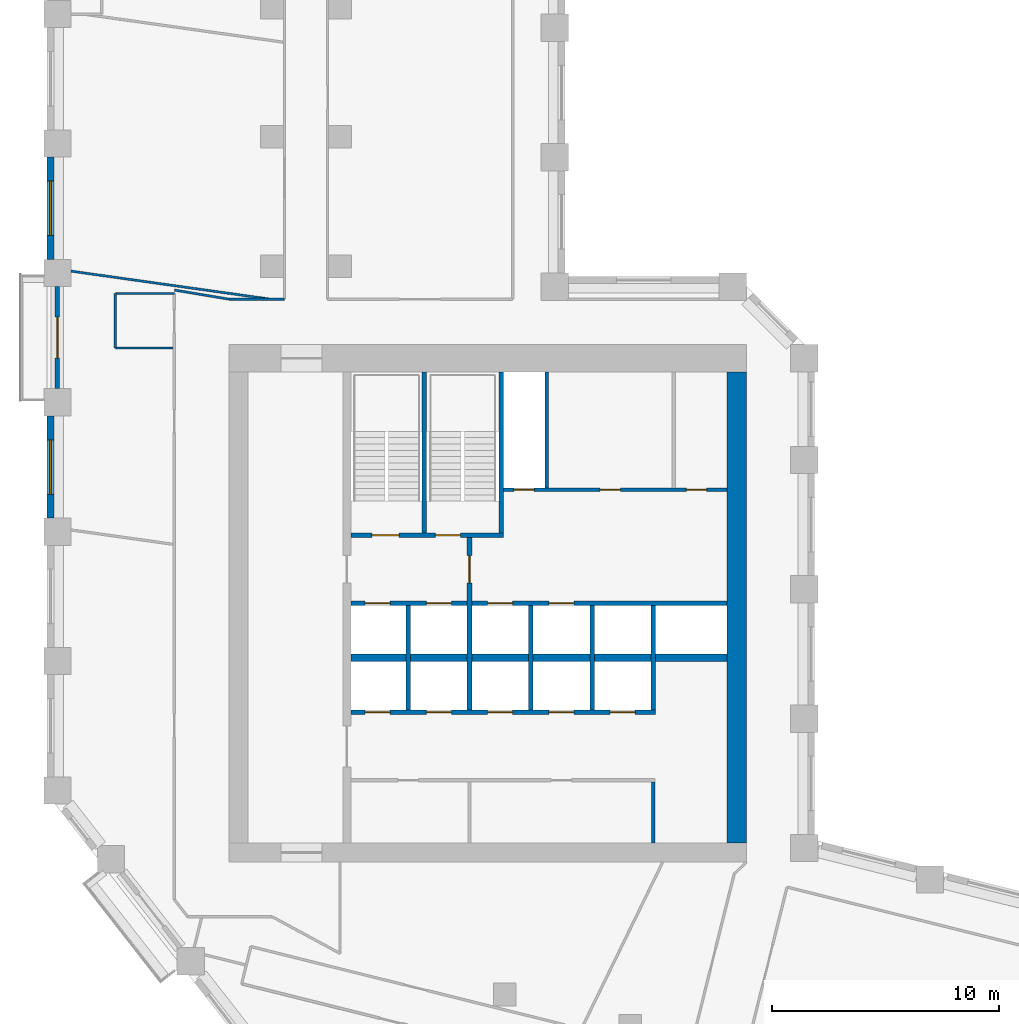
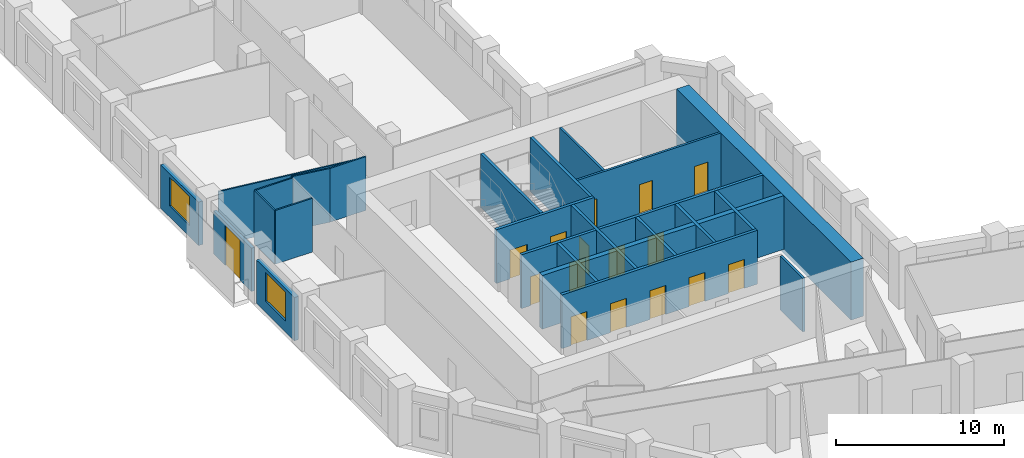
# One storey, part 5 of 10: 24 walls, 16 doors, 2 windows, 18 openings.
"""IFC4 building model written with IfcOpenShell, lengths in metres."""

from ifc_helpers import new_model, si_unit, direction, frame, frame_2d, origin, place, context, subcontext, project, spatial, rectangle, extrude, material, layer, layer_set, type_object, element, fill, save


model = new_model("IFC4")

# Units and contexts
model_context = context("Model", 3, precision=1e-05, world=origin(), true_north=direction((0.0, 1.0)))
body_context = subcontext(model_context, "Body", "Model", "MODEL_VIEW")
ifc_project = project(units=[si_unit("LENGTHUNIT", "METRE"), si_unit("AREAUNIT", "SQUARE_METRE"), si_unit("VOLUMEUNIT", "CUBIC_METRE"), si_unit("PLANEANGLEUNIT", "RADIAN"), si_unit("MASSUNIT", "GRAM", prefix="KILO")], contexts=[model_context])

# Site, building, storey
site_placement = place(None, origin())
site = spatial("IfcSite", under=ifc_project, at=site_placement, CompositionType="ELEMENT")
building_placement = place(site_placement, origin())
building = spatial("IfcBuilding", under=site, at=building_placement, Name="Meshkara Civic Tower", CompositionType="ELEMENT")
storey_placement = place(building_placement, frame((0.0, 0.0, 186.60009765625)))
storey = spatial("IfcBuildingStorey", under=building, at=storey_placement, Name="L42", CompositionType="ELEMENT", Elevation=186.60009765625)

# Wall, openings, doors
ifc_material_1 = material(Name="Blockwork", Category="masonry")
ifc_layer_1 = layer(ifc_material_1, 0.14990234375)
ifc_layer_set_1 = layer_set([ifc_layer_1], Name="Core partition 150")
wall_type_1 = type_object("IfcWallType", Name="Core partition 150", PredefinedType="PARTITIONING", material=ifc_layer_set_1)
wall_1_placement = place(storey_placement, frame((20.10009765625, 30.5, 0.0), z_axis=(0.0, 0.0, 1.0), x_axis=(1.0, 0.0, 0.0)))
wall_1 = element("IfcWall", 1, at=wall_1_placement, inside=storey, type_object=wall_type_1, Name="L42-C010", PredefinedType="PARTITIONING", context=body_context, shape_type="SweptSolid", body=[
    extrude(rectangle(XDim=9.849853515625, YDim=0.14990234375, at=frame_2d((4.9248046875, 0.0))), origin(), (0.0, 0.0, 1.0), 3.89990234375),
])
opening_1_placement = place(wall_1_placement, frame((0.449951171875, 0.0, 0.0)))
opening_1 = element("IfcOpeningElement", 2, at=opening_1_placement, cuts=wall_1, Name="Opening L42-K012", PredefinedType="OPENING", context=body_context, shape_type="SweptSolid", body=[
    extrude(rectangle(XDim=0.89990234375, YDim=2.10009765625, at=frame_2d((0.449951171875, 1.050048828125))), frame((0.0, 0.0849609375, 0.0), z_axis=(0.0, -1.0, 0.0), x_axis=(1.0, 0.0, 0.0)), (0.0, 0.0, 1.0), 0.169921875),
])
opening_2_placement = place(wall_1_placement, frame((4.25, 0.0, 0.0)))
opening_2 = element("IfcOpeningElement", 3, at=opening_2_placement, cuts=wall_1, Name="Opening L42-K013", PredefinedType="OPENING", context=body_context, shape_type="SweptSolid", body=[
    extrude(rectangle(XDim=0.89990234375, YDim=2.10009765625, at=frame_2d((0.449951171875, 1.050048828125))), frame((0.0, 0.0849609375, 0.0), z_axis=(0.0, -1.0, 0.0), x_axis=(1.0, 0.0, 0.0)), (0.0, 0.0, 1.0), 0.169921875),
])
opening_3_placement = place(wall_1_placement, frame((8.050048828125, 0.0, 0.0)))
opening_3 = element("IfcOpeningElement", 4, at=opening_3_placement, cuts=wall_1, Name="Opening L42-K014", PredefinedType="OPENING", context=body_context, shape_type="SweptSolid", body=[
    extrude(rectangle(XDim=0.89990234375, YDim=2.10009765625, at=frame_2d((0.449951171875, 1.050048828125))), frame((0.0, 0.0849609375, 0.0), z_axis=(0.0, -1.0, 0.0), x_axis=(1.0, 0.0, 0.0)), (0.0, 0.0, 1.0), 0.169921875),
])
ifc_material_2 = material(Name="Timber door leaf in steel frame", Category="steel")
door_type_1 = type_object("IfcDoorType", Name="Core room door 900", OperationType="SINGLE_SWING_LEFT", PredefinedType="DOOR", material=ifc_material_2)
door_1_placement = place(opening_2_placement, origin())
door_1 = element("IfcDoor", 5, at=door_1_placement, inside=storey, type_object=door_type_1, Name="L42-K013", OperationType="SINGLE_SWING_RIGHT", OverallHeight=2.10009765625, OverallWidth=0.89990234375, PredefinedType="DOOR", context=body_context, shape_type="SweptSolid", body=[
    extrude(rectangle(XDim=0.89990234375, YDim=2.10009765625, at=frame_2d((0.449951171875, 1.050048828125))), frame((0.0, 0.02490234375, 0.0), z_axis=(0.0, -1.0, 0.0), x_axis=(1.0, 0.0, 0.0)), (0.0, 0.0, 1.0), 0.050048828125),
])
fill(opening_2, door_1)
door_2_placement = place(opening_3_placement, origin())
door_2 = element("IfcDoor", 6, at=door_2_placement, inside=storey, type_object=door_type_1, Name="L42-K014", OperationType="SINGLE_SWING_RIGHT", OverallHeight=2.10009765625, OverallWidth=0.89990234375, PredefinedType="DOOR", context=body_context, shape_type="SweptSolid", body=[
    extrude(rectangle(XDim=0.89990234375, YDim=2.10009765625, at=frame_2d((0.449951171875, 1.050048828125))), frame((0.0, 0.02490234375, 0.0), z_axis=(0.0, -1.0, 0.0), x_axis=(1.0, 0.0, 0.0)), (0.0, 0.0, 1.0), 0.050048828125),
])
fill(opening_3, door_2)
ifc_material_3 = material(Name="Fire-rated door leaf in steel frame", Category="steel")
door_type_2 = type_object("IfcDoorType", Name="Riser door 900", OperationType="SINGLE_SWING_LEFT", PredefinedType="DOOR", material=ifc_material_3)
door_3_placement = place(opening_1_placement, origin())
door_3 = element("IfcDoor", 7, at=door_3_placement, inside=storey, type_object=door_type_2, Name="L42-K012", OperationType="SINGLE_SWING_RIGHT", OverallHeight=2.10009765625, OverallWidth=0.89990234375, PredefinedType="DOOR", context=body_context, shape_type="SweptSolid", body=[
    extrude(rectangle(XDim=0.89990234375, YDim=2.10009765625, at=frame_2d((0.449951171875, 1.050048828125))), frame((0.0, 0.02490234375, 0.0), z_axis=(0.0, -1.0, 0.0), x_axis=(1.0, 0.0, 0.0)), (0.0, 0.0, 1.0), 0.050048828125),
])
fill(opening_1, door_3)

# Walls
wall_2_placement = place(storey_placement, frame((22.0, 30.574951171875, 0.0), z_axis=(0.0, 0.0, 1.0), x_axis=(0.0, 1.0, 0.0)))
element("IfcWall", 8, at=wall_2_placement, inside=storey, type_object=wall_type_1, Name="L42-C018", PredefinedType="PARTITIONING", context=body_context, shape_type="SweptSolid", body=[
    extrude(rectangle(XDim=5.125, YDim=0.14990234375, at=frame_2d((2.5625, 0.0))), origin(), (0.0, 0.0, 1.0), 3.89990234375),
])
wall_3_placement = place(storey_placement, frame((26.699951171875, 14.949951171875, 0.0), z_axis=(0.0, 0.0, 1.0), x_axis=(0.0, 1.0, 0.0)))
element("IfcWall", 9, at=wall_3_placement, inside=storey, type_object=wall_type_1, Name="L42-C020", PredefinedType="PARTITIONING", context=body_context, shape_type="SweptSolid", body=[
    extrude(rectangle(XDim=2.675048828125, YDim=0.14990234375, at=frame_2d((1.33740234375, 0.0))), origin(), (0.0, 0.0, 1.0), 3.89990234375),
])
ifc_material_4 = material(Name="Concrete C70", Category="concrete")
ifc_layer_2 = layer(ifc_material_4, 0.85009765625)
ifc_layer_set_2 = layer_set([ifc_layer_2], Name="Core ring wall 850 C70")
wall_type_2 = type_object("IfcWallType", Name="Core ring wall 850 C70", PredefinedType="SHEAR", material=ifc_layer_set_2)
wall_4_placement = place(storey_placement, frame((30.375, 14.949951171875, -0.300048828125), z_axis=(0.0, 0.0, 1.0), x_axis=(0.0, 1.0, 0.0)))
element("IfcWall", 10, at=wall_4_placement, inside=storey, type_object=wall_type_2, Name="L42-C004", PredefinedType="SHEAR", context=body_context, shape_type="SweptSolid", body=[
    extrude(rectangle(XDim=20.75, YDim=0.85009765625, at=frame_2d((10.375, 0.0))), origin(), (0.0, 0.0, 1.0), 4.199951171875),
])
ifc_material_5 = material(Name="Concrete C70", Category="concrete")
ifc_layer_3 = layer(ifc_material_5, 0.340087890625)
ifc_layer_set_3 = layer_set([ifc_layer_3], Name="Core shear wall 340 C70")
wall_type_3 = type_object("IfcWallType", Name="Core shear wall 340 C70", PredefinedType="SHEAR", material=ifc_layer_set_3)
wall_5_placement = place(storey_placement, frame((13.3701171875, 23.10009765625, 0.0), z_axis=(0.0, 0.0, 1.0), x_axis=(1.0, 0.0, 0.0)))
element("IfcWall", 11, at=wall_5_placement, inside=storey, type_object=wall_type_3, Name="L42-C007", PredefinedType="SHEAR", context=body_context, shape_type="SweptSolid", body=[
    extrude(rectangle(XDim=16.579833984375, YDim=0.340087890625, at=frame_2d((8.2900390625, 0.0))), origin(), (0.0, 0.0, 1.0), 3.89990234375),
])
ifc_material_6 = material(Name="Corridor wall 100")
ifc_layer_4 = layer(ifc_material_6, 0.10009765625)
ifc_layer_set_4 = layer_set([ifc_layer_4], Name="Corridor wall 100")
wall_type_4 = type_object("IfcWallType", Name="Corridor wall 100", PredefinedType="PARTITIONING", material=ifc_layer_set_4)
wall_6_placement = place(storey_placement, frame((8.0, 38.89990234375, 0.0), z_axis=(0.0, 0.0, 1.0), x_axis=(1.0, 0.0, 0.0)))
element("IfcWall", 12, at=wall_6_placement, inside=storey, type_object=wall_type_4, Name="L42-W007", PredefinedType="PARTITIONING", context=body_context, shape_type="SweptSolid", body=[
    extrude(rectangle(XDim=2.449951171875, YDim=0.10009765625, at=frame_2d((1.22509765625, 0.0))), origin(), (0.0, 0.0, 1.0), 3.89990234375),
])
wall_7_placement = place(storey_placement, frame((8.0, 38.89990234375, 0.0), z_axis=(0.0, 0.0, 1.0), x_axis=(-0.986383073668, 0.16446407505, 0.0)))
element("IfcWall", 13, at=wall_7_placement, inside=storey, type_object=wall_type_4, Name="L42-W008", PredefinedType="PARTITIONING", context=body_context, shape_type="SweptSolid", body=[
    extrude(rectangle(XDim=2.43310546875, YDim=0.10009765625, at=frame_2d((1.216552734375, 0.0))), origin(), (0.0, 0.0, 1.0), 3.89990234375),
])

# Wall, opening, window
ifc_material_7 = material(Name="Insulated infill panel with bronze anodised aluminium cladding", Category="aluminium")
ifc_layer_5 = layer(ifc_material_7, 0.300048828125)
ifc_layer_set_5 = layer_set([ifc_layer_5], Name="EXTERNAL INFILL WALL 300")
wall_type_5 = type_object("IfcWallType", Name="EXTERNAL INFILL WALL 300", PredefinedType="SOLIDWALL", material=ifc_layer_set_5)
wall_8_placement = place(storey_placement, frame((0.14990234375, 45.155029296875, 0.0), z_axis=(0.0, 0.0, 1.0), x_axis=(0.0, -1.0, 0.0)))
wall_8 = element("IfcWall", 14, at=wall_8_placement, inside=storey, type_object=wall_type_5, Name="External wall", PredefinedType="SOLIDWALL", context=body_context, shape_type="SweptSolid", body=[
    extrude(rectangle(XDim=4.5, YDim=0.300048828125, at=frame_2d((2.25, 0.0))), origin(), (0.0, 0.0, 1.0), 3.14990234375),
])
opening_4_placement = place(wall_8_placement, frame((1.050048828125, 0.0, 0.800048828125)))
opening_4 = element("IfcOpeningElement", 15, at=opening_4_placement, cuts=wall_8, Name="Opening W7", PredefinedType="OPENING", context=body_context, shape_type="SweptSolid", body=[
    extrude(rectangle(XDim=2.39990234375, YDim=2.10009765625, at=frame_2d((1.199951171875, 1.050048828125))), frame((0.0, 0.159912109375, 0.0), z_axis=(0.0, -1.0, 0.0), x_axis=(1.0, 0.0, 0.0)), (0.0, 0.0, 1.0), 0.320068359375),
])
ifc_material_8 = material(Name="Tinted double glazing", Category="glass")
window_type = type_object("IfcWindowType", Name="WINDOW 2400x2100", PartitioningType="DOUBLE_PANEL_VERTICAL", PredefinedType="WINDOW", material=ifc_material_8)
window_1_placement = place(opening_4_placement, origin())
window_1 = element("IfcWindow", 16, at=window_1_placement, inside=storey, type_object=window_type, Name="Window", OverallHeight=2.10009765625, OverallWidth=2.39990234375, PartitioningType="DOUBLE_PANEL_VERTICAL", PredefinedType="WINDOW", context=body_context, shape_type="SweptSolid", body=[
    extrude(rectangle(XDim=2.39990234375, YDim=2.10009765625, at=frame_2d((1.199951171875, 1.050048828125))), frame((0.0, 0.030029296875, 0.0), z_axis=(0.0, -1.0, 0.0), x_axis=(1.0, 0.0, 0.0)), (0.0, 0.0, 1.0), 0.06005859375),
])
fill(opening_4, window_1)

wall_9_placement = place(storey_placement, frame((0.14990234375, 33.7548828125, 0.0), z_axis=(0.0, 0.0, 1.0), x_axis=(0.0, -1.0, 0.0)))
wall_9 = element("IfcWall", 17, at=wall_9_placement, inside=storey, type_object=wall_type_5, Name="External wall", PredefinedType="SOLIDWALL", context=body_context, shape_type="SweptSolid", body=[
    extrude(rectangle(XDim=4.5, YDim=0.300048828125, at=frame_2d((2.25, 0.0))), origin(), (0.0, 0.0, 1.0), 3.14990234375),
])
opening_5_placement = place(wall_9_placement, frame((1.050048828125, 0.0, 0.800048828125)))
opening_5 = element("IfcOpeningElement", 18, at=opening_5_placement, cuts=wall_9, Name="Opening W7", PredefinedType="OPENING", context=body_context, shape_type="SweptSolid", body=[
    extrude(rectangle(XDim=2.39990234375, YDim=2.10009765625, at=frame_2d((1.199951171875, 1.050048828125))), frame((0.0, 0.159912109375, 0.0), z_axis=(0.0, -1.0, 0.0), x_axis=(1.0, 0.0, 0.0)), (0.0, 0.0, 1.0), 0.320068359375),
])
window_2_placement = place(opening_5_placement, origin())
window_2 = element("IfcWindow", 19, at=window_2_placement, inside=storey, type_object=window_type, Name="Window", OverallHeight=2.10009765625, OverallWidth=2.39990234375, PartitioningType="DOUBLE_PANEL_VERTICAL", PredefinedType="WINDOW", context=body_context, shape_type="SweptSolid", body=[
    extrude(rectangle(XDim=2.39990234375, YDim=2.10009765625, at=frame_2d((1.199951171875, 1.050048828125))), frame((0.0, 0.030029296875, 0.0), z_axis=(0.0, -1.0, 0.0), x_axis=(1.0, 0.0, 0.0)), (0.0, 0.0, 1.0), 0.06005859375),
])
fill(opening_5, window_2)

# Wall, opening, door
ifc_material_9 = material(Name="Insulated infill panel with bronze anodised aluminium cladding", Category="aluminium")
ifc_layer_6 = layer(ifc_material_9, 0.199951171875)
ifc_layer_set_6 = layer_set([ifc_layer_6], Name="LOGGIA BACK WALL 200")
wall_type_6 = type_object("IfcWallType", Name="LOGGIA BACK WALL 200", PredefinedType="SOLIDWALL", material=ifc_layer_set_6)
wall_10_placement = place(storey_placement, frame((0.449951171875, 39.4541015625, 0.0), z_axis=(0.0, 0.0, 1.0), x_axis=(0.0, -1.0, 0.0)))
wall_10 = element("IfcWall", 20, at=wall_10_placement, inside=storey, type_object=wall_type_6, Name="Loggia wall", PredefinedType="SOLIDWALL", context=body_context, shape_type="SweptSolid", body=[
    extrude(rectangle(XDim=4.498046875, YDim=0.199951171875, at=frame_2d((2.2490234375, 0.0))), origin(), (0.0, 0.0, 1.0), 3.14990234375),
])
opening_6_placement = place(wall_10_placement, frame((1.35009765625, 0.0, 0.0)))
opening_6 = element("IfcOpeningElement", 21, at=opening_6_placement, cuts=wall_10, Name="Opening L42-L001", PredefinedType="OPENING", context=body_context, shape_type="SweptSolid", body=[
    extrude(rectangle(XDim=1.800048828125, YDim=2.89990234375, at=frame_2d((0.89990234375, 1.449951171875))), frame((0.0, 0.10986328125, 0.0), z_axis=(0.0, -1.0, 0.0), x_axis=(1.0, 0.0, 0.0)), (0.0, 0.0, 1.0), 0.219970703125),
])
ifc_material_10 = material(Name="Tinted double glazing", Category="glass")
door_type_3 = type_object("IfcDoorType", Name="LOGGIA DOOR 1800x2900", OperationType="DOUBLE_DOOR_SINGLE_SWING", PredefinedType="DOOR", material=ifc_material_10)
door_4_placement = place(opening_6_placement, origin())
door_4 = element("IfcDoor", 22, at=door_4_placement, inside=storey, type_object=door_type_3, Name="L42-L001", OperationType="DOUBLE_DOOR_SINGLE_SWING", OverallHeight=2.89990234375, OverallWidth=1.800048828125, PredefinedType="DOOR", context=body_context, shape_type="SweptSolid", body=[
    extrude(rectangle(XDim=1.800048828125, YDim=2.89990234375, at=frame_2d((0.89990234375, 1.449951171875))), frame((0.0, 0.02490234375, 0.0), z_axis=(0.0, -1.0, 0.0), x_axis=(1.0, 0.0, 0.0)), (0.0, 0.0, 1.0), 0.050048828125),
])
fill(opening_6, door_4)

# Walls
ifc_material_11 = material(Name="Partition 100")
ifc_layer_7 = layer(ifc_material_11, 0.10009765625)
ifc_layer_set_7 = layer_set([ifc_layer_7], Name="Partition 100")
wall_type_7 = type_object("IfcWallType", Name="Partition 100", PredefinedType="PARTITIONING", material=ifc_layer_set_7)
wall_11_placement = place(storey_placement, frame((3.0, 36.75, 0.0), z_axis=(0.0, 0.0, 1.0), x_axis=(0.0, 1.0, 0.0)))
element("IfcWall", 23, at=wall_11_placement, inside=storey, type_object=wall_type_7, Name="L42-W043", PredefinedType="PARTITIONING", context=body_context, shape_type="SweptSolid", body=[
    extrude(rectangle(XDim=2.39990234375, YDim=0.10009765625, at=frame_2d((1.199951171875, 0.0))), origin(), (0.0, 0.0, 1.0), 3.89990234375),
])
wall_12_placement = place(storey_placement, frame((3.0, 39.14990234375, 0.0), z_axis=(0.0, 0.0, 1.0), x_axis=(1.0, 0.0, 0.0)))
element("IfcWall", 24, at=wall_12_placement, inside=storey, type_object=wall_type_7, Name="L42-W044", PredefinedType="PARTITIONING", context=body_context, shape_type="SweptSolid", body=[
    extrude(rectangle(XDim=2.60009765625, YDim=0.10009765625, at=frame_2d((1.300048828125, 0.0))), origin(), (0.0, 0.0, 1.0), 3.89990234375),
])
wall_13_placement = place(storey_placement, frame((5.550048828125, 36.75, 0.0), z_axis=(0.0, 0.0, 1.0), x_axis=(-1.0, 0.0, 0.0)))
element("IfcWall", 25, at=wall_13_placement, inside=storey, type_object=wall_type_7, Name="L42-W046", PredefinedType="PARTITIONING", context=body_context, shape_type="SweptSolid", body=[
    extrude(rectangle(XDim=2.550048828125, YDim=0.10009765625, at=frame_2d((1.27490234375, 0.0))), origin(), (0.0, 0.0, 1.0), 3.89990234375),
])
wall_14_placement = place(storey_placement, frame((9.820068359375, 38.89990234375, 0.0), z_axis=(0.0, 0.0, 1.0), x_axis=(-0.99025859824, 0.139240470456, 0.0)))
element("IfcWall", 26, at=wall_14_placement, inside=storey, type_object=wall_type_7, Name="L42-W049", PredefinedType="PARTITIONING", context=body_context, shape_type="SweptSolid", body=[
    extrude(rectangle(XDim=8.856201171875, YDim=0.10009765625, at=frame_2d((4.42822265625, 0.0))), origin(), (0.0, 0.0, 1.0), 3.89990234375),
])

# Wall, openings, doors
ifc_material_12 = material(Name="Concrete C40/50", Category="concrete")
ifc_layer_8 = layer(ifc_material_12, 0.199951171875)
ifc_layer_set_8 = layer_set([ifc_layer_8], Name="Shaft wall 200 C40/50")
wall_type_8 = type_object("IfcWallType", Name="Shaft wall 200 C40/50", PredefinedType="SOLIDWALL", material=ifc_layer_set_8)
wall_15_placement = place(storey_placement, frame((13.3701171875, 20.699951171875, 0.0), z_axis=(0.0, 0.0, 1.0), x_axis=(1.0, 0.0, 0.0)))
wall_15 = element("IfcWall", 27, at=wall_15_placement, inside=storey, type_object=wall_type_8, Name="L42-C006", PredefinedType="SOLIDWALL", context=body_context, shape_type="SweptSolid", body=[
    extrude(rectangle(XDim=13.429931640625, YDim=0.199951171875, at=frame_2d((6.71484375, 0.0))), origin(), (0.0, 0.0, 1.0), 3.89990234375),
])
opening_7_placement = place(wall_15_placement, frame((0.6298828125, 0.0, 0.0)))
opening_7 = element("IfcOpeningElement", 28, at=opening_7_placement, cuts=wall_15, Name="Opening L42-K001", PredefinedType="OPENING", context=body_context, shape_type="SweptSolid", body=[
    extrude(rectangle(XDim=1.10009765625, YDim=2.10009765625, at=frame_2d((0.550048828125, 1.050048828125))), frame((0.0, 0.10986328125, 0.0), z_axis=(0.0, -1.0, 0.0), x_axis=(1.0, 0.0, 0.0)), (0.0, 0.0, 1.0), 0.219970703125),
])
opening_8_placement = place(wall_15_placement, frame((3.330078125, 0.0, 0.0)))
opening_8 = element("IfcOpeningElement", 29, at=opening_8_placement, cuts=wall_15, Name="Opening L42-K002", PredefinedType="OPENING", context=body_context, shape_type="SweptSolid", body=[
    extrude(rectangle(XDim=1.10009765625, YDim=2.10009765625, at=frame_2d((0.550048828125, 1.050048828125))), frame((0.0, 0.10986328125, 0.0), z_axis=(0.0, -1.0, 0.0), x_axis=(1.0, 0.0, 0.0)), (0.0, 0.0, 1.0), 0.219970703125),
])
opening_9_placement = place(wall_15_placement, frame((6.030029296875, 0.0, 0.0)))
opening_9 = element("IfcOpeningElement", 30, at=opening_9_placement, cuts=wall_15, Name="Opening L42-K003", PredefinedType="OPENING", context=body_context, shape_type="SweptSolid", body=[
    extrude(rectangle(XDim=1.10009765625, YDim=2.10009765625, at=frame_2d((0.550048828125, 1.050048828125))), frame((0.0, 0.10986328125, 0.0), z_axis=(0.0, -1.0, 0.0), x_axis=(1.0, 0.0, 0.0)), (0.0, 0.0, 1.0), 0.219970703125),
])
opening_10_placement = place(wall_15_placement, frame((8.72998046875, 0.0, 0.0)))
opening_10 = element("IfcOpeningElement", 31, at=opening_10_placement, cuts=wall_15, Name="Opening L42-K004", PredefinedType="OPENING", context=body_context, shape_type="SweptSolid", body=[
    extrude(rectangle(XDim=1.10009765625, YDim=2.10009765625, at=frame_2d((0.550048828125, 1.050048828125))), frame((0.0, 0.10986328125, 0.0), z_axis=(0.0, -1.0, 0.0), x_axis=(1.0, 0.0, 0.0)), (0.0, 0.0, 1.0), 0.219970703125),
])
opening_11_placement = place(wall_15_placement, frame((11.429931640625, 0.0, 0.0)))
opening_11 = element("IfcOpeningElement", 32, at=opening_11_placement, cuts=wall_15, Name="Opening L42-K005", PredefinedType="OPENING", context=body_context, shape_type="SweptSolid", body=[
    extrude(rectangle(XDim=1.10009765625, YDim=2.10009765625, at=frame_2d((0.550048828125, 1.050048828125))), frame((0.0, 0.10986328125, 0.0), z_axis=(0.0, -1.0, 0.0), x_axis=(1.0, 0.0, 0.0)), (0.0, 0.0, 1.0), 0.219970703125),
])
ifc_material_13 = material(Name="Stainless steel landing door", Category="steel")
door_type_4 = type_object("IfcDoorType", Name="Lift landing door 1100", OperationType="SLIDING_TO_LEFT", PredefinedType="DOOR", material=ifc_material_13)
door_5_placement = place(opening_7_placement, origin())
door_5 = element("IfcDoor", 33, at=door_5_placement, inside=storey, type_object=door_type_4, Name="L42-K001", OperationType="SLIDING_TO_LEFT", OverallHeight=2.10009765625, OverallWidth=1.10009765625, PredefinedType="DOOR", context=body_context, shape_type="SweptSolid", body=[
    extrude(rectangle(XDim=1.10009765625, YDim=2.10009765625, at=frame_2d((0.550048828125, 1.050048828125))), frame((0.0, 0.02490234375, 0.0), z_axis=(0.0, -1.0, 0.0), x_axis=(1.0, 0.0, 0.0)), (0.0, 0.0, 1.0), 0.050048828125),
])
fill(opening_7, door_5)
door_6_placement = place(opening_8_placement, origin())
door_6 = element("IfcDoor", 34, at=door_6_placement, inside=storey, type_object=door_type_4, Name="L42-K002", OperationType="SLIDING_TO_LEFT", OverallHeight=2.10009765625, OverallWidth=1.10009765625, PredefinedType="DOOR", context=body_context, shape_type="SweptSolid", body=[
    extrude(rectangle(XDim=1.10009765625, YDim=2.10009765625, at=frame_2d((0.550048828125, 1.050048828125))), frame((0.0, 0.02490234375, 0.0), z_axis=(0.0, -1.0, 0.0), x_axis=(1.0, 0.0, 0.0)), (0.0, 0.0, 1.0), 0.050048828125),
])
fill(opening_8, door_6)
door_7_placement = place(opening_9_placement, origin())
door_7 = element("IfcDoor", 35, at=door_7_placement, inside=storey, type_object=door_type_4, Name="L42-K003", OperationType="SLIDING_TO_LEFT", OverallHeight=2.10009765625, OverallWidth=1.10009765625, PredefinedType="DOOR", context=body_context, shape_type="SweptSolid", body=[
    extrude(rectangle(XDim=1.10009765625, YDim=2.10009765625, at=frame_2d((0.550048828125, 1.050048828125))), frame((0.0, 0.02490234375, 0.0), z_axis=(0.0, -1.0, 0.0), x_axis=(1.0, 0.0, 0.0)), (0.0, 0.0, 1.0), 0.050048828125),
])
fill(opening_9, door_7)
door_8_placement = place(opening_10_placement, origin())
door_8 = element("IfcDoor", 36, at=door_8_placement, inside=storey, type_object=door_type_4, Name="L42-K004", OperationType="SLIDING_TO_LEFT", OverallHeight=2.10009765625, OverallWidth=1.10009765625, PredefinedType="DOOR", context=body_context, shape_type="SweptSolid", body=[
    extrude(rectangle(XDim=1.10009765625, YDim=2.10009765625, at=frame_2d((0.550048828125, 1.050048828125))), frame((0.0, 0.02490234375, 0.0), z_axis=(0.0, -1.0, 0.0), x_axis=(1.0, 0.0, 0.0)), (0.0, 0.0, 1.0), 0.050048828125),
])
fill(opening_10, door_8)
door_9_placement = place(opening_11_placement, origin())
door_9 = element("IfcDoor", 37, at=door_9_placement, inside=storey, type_object=door_type_4, Name="L42-K005", OperationType="SLIDING_TO_LEFT", OverallHeight=2.10009765625, OverallWidth=1.10009765625, PredefinedType="DOOR", context=body_context, shape_type="SweptSolid", body=[
    extrude(rectangle(XDim=1.10009765625, YDim=2.10009765625, at=frame_2d((0.550048828125, 1.050048828125))), frame((0.0, 0.02490234375, 0.0), z_axis=(0.0, -1.0, 0.0), x_axis=(1.0, 0.0, 0.0)), (0.0, 0.0, 1.0), 0.050048828125),
])
fill(opening_11, door_9)

wall_16_placement = place(storey_placement, frame((13.3701171875, 25.5, 0.0), z_axis=(0.0, 0.0, 1.0), x_axis=(1.0, 0.0, 0.0)))
wall_16 = element("IfcWall", 38, at=wall_16_placement, inside=storey, type_object=wall_type_8, Name="L42-C008", PredefinedType="SOLIDWALL", context=body_context, shape_type="SweptSolid", body=[
    extrude(rectangle(XDim=16.579833984375, YDim=0.199951171875, at=frame_2d((8.2900390625, 0.0))), origin(), (0.0, 0.0, 1.0), 3.89990234375),
])
opening_12_placement = place(wall_16_placement, frame((0.6298828125, 0.0, 0.0)))
opening_12 = element("IfcOpeningElement", 39, at=opening_12_placement, cuts=wall_16, Name="Opening L42-K006", PredefinedType="OPENING", context=body_context, shape_type="SweptSolid", body=[
    extrude(rectangle(XDim=1.10009765625, YDim=2.10009765625, at=frame_2d((0.550048828125, 1.050048828125))), frame((0.0, 0.10986328125, 0.0), z_axis=(0.0, -1.0, 0.0), x_axis=(1.0, 0.0, 0.0)), (0.0, 0.0, 1.0), 0.219970703125),
])
opening_13_placement = place(wall_16_placement, frame((3.330078125, 0.0, 0.0)))
opening_13 = element("IfcOpeningElement", 40, at=opening_13_placement, cuts=wall_16, Name="Opening L42-K007", PredefinedType="OPENING", context=body_context, shape_type="SweptSolid", body=[
    extrude(rectangle(XDim=1.10009765625, YDim=2.10009765625, at=frame_2d((0.550048828125, 1.050048828125))), frame((0.0, 0.10986328125, 0.0), z_axis=(0.0, -1.0, 0.0), x_axis=(1.0, 0.0, 0.0)), (0.0, 0.0, 1.0), 0.219970703125),
])
opening_14_placement = place(wall_16_placement, frame((6.030029296875, 0.0, 0.0)))
opening_14 = element("IfcOpeningElement", 41, at=opening_14_placement, cuts=wall_16, Name="Opening L42-K008", PredefinedType="OPENING", context=body_context, shape_type="SweptSolid", body=[
    extrude(rectangle(XDim=1.10009765625, YDim=2.10009765625, at=frame_2d((0.550048828125, 1.050048828125))), frame((0.0, 0.10986328125, 0.0), z_axis=(0.0, -1.0, 0.0), x_axis=(1.0, 0.0, 0.0)), (0.0, 0.0, 1.0), 0.219970703125),
])
opening_15_placement = place(wall_16_placement, frame((8.72998046875, 0.0, 0.0)))
opening_15 = element("IfcOpeningElement", 42, at=opening_15_placement, cuts=wall_16, Name="Opening L42-K009", PredefinedType="OPENING", context=body_context, shape_type="SweptSolid", body=[
    extrude(rectangle(XDim=1.10009765625, YDim=2.10009765625, at=frame_2d((0.550048828125, 1.050048828125))), frame((0.0, 0.10986328125, 0.0), z_axis=(0.0, -1.0, 0.0), x_axis=(1.0, 0.0, 0.0)), (0.0, 0.0, 1.0), 0.219970703125),
])
door_10_placement = place(opening_12_placement, origin())
door_10 = element("IfcDoor", 43, at=door_10_placement, inside=storey, type_object=door_type_4, Name="L42-K006", OperationType="SLIDING_TO_LEFT", OverallHeight=2.10009765625, OverallWidth=1.10009765625, PredefinedType="DOOR", context=body_context, shape_type="SweptSolid", body=[
    extrude(rectangle(XDim=1.10009765625, YDim=2.10009765625, at=frame_2d((0.550048828125, 1.050048828125))), frame((0.0, 0.02490234375, 0.0), z_axis=(0.0, -1.0, 0.0), x_axis=(1.0, 0.0, 0.0)), (0.0, 0.0, 1.0), 0.050048828125),
])
fill(opening_12, door_10)
door_11_placement = place(opening_13_placement, origin())
door_11 = element("IfcDoor", 44, at=door_11_placement, inside=storey, type_object=door_type_4, Name="L42-K007", OperationType="SLIDING_TO_LEFT", OverallHeight=2.10009765625, OverallWidth=1.10009765625, PredefinedType="DOOR", context=body_context, shape_type="SweptSolid", body=[
    extrude(rectangle(XDim=1.10009765625, YDim=2.10009765625, at=frame_2d((0.550048828125, 1.050048828125))), frame((0.0, 0.02490234375, 0.0), z_axis=(0.0, -1.0, 0.0), x_axis=(1.0, 0.0, 0.0)), (0.0, 0.0, 1.0), 0.050048828125),
])
fill(opening_13, door_11)
door_12_placement = place(opening_14_placement, origin())
door_12 = element("IfcDoor", 45, at=door_12_placement, inside=storey, type_object=door_type_4, Name="L42-K008", OperationType="SLIDING_TO_LEFT", OverallHeight=2.10009765625, OverallWidth=1.10009765625, PredefinedType="DOOR", context=body_context, shape_type="SweptSolid", body=[
    extrude(rectangle(XDim=1.10009765625, YDim=2.10009765625, at=frame_2d((0.550048828125, 1.050048828125))), frame((0.0, 0.02490234375, 0.0), z_axis=(0.0, -1.0, 0.0), x_axis=(1.0, 0.0, 0.0)), (0.0, 0.0, 1.0), 0.050048828125),
])
fill(opening_14, door_12)
door_13_placement = place(opening_15_placement, origin())
door_13 = element("IfcDoor", 46, at=door_13_placement, inside=storey, type_object=door_type_4, Name="L42-K009", OperationType="SLIDING_TO_LEFT", OverallHeight=2.10009765625, OverallWidth=1.10009765625, PredefinedType="DOOR", context=body_context, shape_type="SweptSolid", body=[
    extrude(rectangle(XDim=1.10009765625, YDim=2.10009765625, at=frame_2d((0.550048828125, 1.050048828125))), frame((0.0, 0.02490234375, 0.0), z_axis=(0.0, -1.0, 0.0), x_axis=(1.0, 0.0, 0.0)), (0.0, 0.0, 1.0), 0.050048828125),
])
fill(opening_15, door_13)

# Wall
wall_17_placement = place(storey_placement, frame((15.89990234375, 20.800048828125, 0.0), z_axis=(0.0, 0.0, 1.0), x_axis=(0.0, 1.0, 0.0)))
element("IfcWall", 47, at=wall_17_placement, inside=storey, type_object=wall_type_8, Name="L42-C012", PredefinedType="SOLIDWALL", context=body_context, shape_type="SweptSolid", body=[
    extrude(rectangle(XDim=4.599853515625, YDim=0.199951171875, at=frame_2d((2.2998046875, 0.0))), origin(), (0.0, 0.0, 1.0), 3.89990234375),
])

# Wall, opening, door
wall_18_placement = place(storey_placement, frame((18.60009765625, 20.800048828125, 0.0), z_axis=(0.0, 0.0, 1.0), x_axis=(0.0, 1.0, 0.0)))
wall_18 = element("IfcWall", 48, at=wall_18_placement, inside=storey, type_object=wall_type_8, Name="L42-C015", PredefinedType="SOLIDWALL", context=body_context, shape_type="SweptSolid", body=[
    extrude(rectangle(XDim=7.599853515625, YDim=0.199951171875, at=frame_2d((3.7998046875, 0.0))), origin(), (0.0, 0.0, 1.0), 3.89990234375),
])
opening_16_placement = place(wall_18_placement, frame((5.60009765625, 0.0, 0.0)))
opening_16 = element("IfcOpeningElement", 49, at=opening_16_placement, cuts=wall_18, Name="Opening L42-K019", PredefinedType="OPENING", context=body_context, shape_type="SweptSolid", body=[
    extrude(rectangle(XDim=1.199951171875, YDim=2.10009765625, at=frame_2d((0.60009765625, 1.050048828125))), frame((0.0, 0.10986328125, 0.0), z_axis=(0.0, -1.0, 0.0), x_axis=(1.0, 0.0, 0.0)), (0.0, 0.0, 1.0), 0.219970703125),
])
ifc_material_14 = material(Name="Fire-rated door leaf in steel frame", Category="steel")
door_type_5 = type_object("IfcDoorType", Name="Fire-fighting lobby door 1200 EI 120", OperationType="SINGLE_SWING_LEFT", PredefinedType="DOOR", material=ifc_material_14)
door_14_placement = place(opening_16_placement, origin())
door_14 = element("IfcDoor", 50, at=door_14_placement, inside=storey, type_object=door_type_5, Name="L42-K019", OperationType="SINGLE_SWING_RIGHT", OverallHeight=2.10009765625, OverallWidth=1.199951171875, PredefinedType="DOOR", context=body_context, shape_type="SweptSolid", body=[
    extrude(rectangle(XDim=1.199951171875, YDim=2.10009765625, at=frame_2d((0.60009765625, 1.050048828125))), frame((0.0, 0.02490234375, 0.0), z_axis=(0.0, -1.0, 0.0), x_axis=(1.0, 0.0, 0.0)), (0.0, 0.0, 1.0), 0.050048828125),
])
fill(opening_16, door_14)

# Walls
for number, where, z_axis, x_axis, name in (
    (51, (21.300048828125, 20.800048828125, 0.0), (0.0, 0.0, 1.0), (0.0, 1.0, 0.0), "L42-C017"),
    (52, (24.0, 20.800048828125, 0.0), (0.0, 0.0, 1.0), (0.0, 1.0, 0.0), "L42-C019"),
    (53, (26.699951171875, 20.800048828125, 0.0), (0.0, 0.0, 1.0), (0.0, 1.0, 0.0), "L42-C021"),
):
    element("IfcWall", number, at=place(storey_placement, frame(where, z_axis=z_axis, x_axis=x_axis)), inside=storey, type_object=wall_type_8, Name=name, PredefinedType="SOLIDWALL", context=body_context, shape_type="SweptSolid", body=[
        extrude(rectangle(XDim=4.599853515625, YDim=0.199951171875, at=frame_2d((2.2998046875, 0.0))), origin(), (0.0, 0.0, 1.0), 3.89990234375),
    ])

# Wall, openings, doors
ifc_material_15 = material(Name="Concrete C40/50", Category="concrete")
ifc_layer_9 = layer(ifc_material_15, 0.199951171875)
ifc_layer_set_9 = layer_set([ifc_layer_9], Name="Stair enclosure wall 200 C40/50")
wall_type_9 = type_object("IfcWallType", Name="Stair enclosure wall 200 C40/50", PredefinedType="SOLIDWALL", material=ifc_layer_set_9)
wall_19_placement = place(storey_placement, frame((13.3701171875, 28.5, 0.0), z_axis=(0.0, 0.0, 1.0), x_axis=(1.0, 0.0, 0.0)))
wall_19 = element("IfcWall", 54, at=wall_19_placement, inside=storey, type_object=wall_type_9, Name="L42-C009", PredefinedType="SOLIDWALL", context=body_context, shape_type="SweptSolid", body=[
    extrude(rectangle(XDim=6.72998046875, YDim=0.199951171875, at=frame_2d((3.364990234375, 0.0))), origin(), (0.0, 0.0, 1.0), 3.89990234375),
])
opening_17_placement = place(wall_19_placement, frame((0.929931640625, 0.0, 0.0)))
opening_17 = element("IfcOpeningElement", 55, at=opening_17_placement, cuts=wall_19, Name="Opening L42-K015", PredefinedType="OPENING", context=body_context, shape_type="SweptSolid", body=[
    extrude(rectangle(XDim=1.199951171875, YDim=2.10009765625, at=frame_2d((0.60009765625, 1.050048828125))), frame((0.0, 0.10986328125, 0.0), z_axis=(0.0, -1.0, 0.0), x_axis=(1.0, 0.0, 0.0)), (0.0, 0.0, 1.0), 0.219970703125),
])
opening_18_placement = place(wall_19_placement, frame((3.72998046875, 0.0, 0.0)))
opening_18 = element("IfcOpeningElement", 56, at=opening_18_placement, cuts=wall_19, Name="Opening L42-K016", PredefinedType="OPENING", context=body_context, shape_type="SweptSolid", body=[
    extrude(rectangle(XDim=1.10009765625, YDim=2.10009765625, at=frame_2d((0.550048828125, 1.050048828125))), frame((0.0, 0.10986328125, 0.0), z_axis=(0.0, -1.0, 0.0), x_axis=(1.0, 0.0, 0.0)), (0.0, 0.0, 1.0), 0.219970703125),
])
ifc_material_16 = material(Name="Fire-rated door leaf in steel frame", Category="steel")
door_type_6 = type_object("IfcDoorType", Name="Stair door 1100 EI 120", OperationType="SINGLE_SWING_LEFT", PredefinedType="DOOR", material=ifc_material_16)
door_15_placement = place(opening_18_placement, origin())
door_15 = element("IfcDoor", 57, at=door_15_placement, inside=storey, type_object=door_type_6, Name="L42-K016", OperationType="SINGLE_SWING_LEFT", OverallHeight=2.10009765625, OverallWidth=1.10009765625, PredefinedType="DOOR", context=body_context, shape_type="SweptSolid", body=[
    extrude(rectangle(XDim=1.10009765625, YDim=2.10009765625, at=frame_2d((0.550048828125, 1.050048828125))), frame((0.0, 0.02490234375, 0.0), z_axis=(0.0, -1.0, 0.0), x_axis=(1.0, 0.0, 0.0)), (0.0, 0.0, 1.0), 0.050048828125),
])
fill(opening_18, door_15)
ifc_material_17 = material(Name="Fire-rated door leaf in steel frame", Category="steel")
door_type_7 = type_object("IfcDoorType", Name="Stair door 1200 EI 120", OperationType="SINGLE_SWING_LEFT", PredefinedType="DOOR", material=ifc_material_17)
door_16_placement = place(opening_17_placement, origin())
door_16 = element("IfcDoor", 58, at=door_16_placement, inside=storey, type_object=door_type_7, Name="L42-K015", OperationType="SINGLE_SWING_RIGHT", OverallHeight=2.10009765625, OverallWidth=1.199951171875, PredefinedType="DOOR", context=body_context, shape_type="SweptSolid", body=[
    extrude(rectangle(XDim=1.199951171875, YDim=2.10009765625, at=frame_2d((0.60009765625, 1.050048828125))), frame((0.0, 0.02490234375, 0.0), z_axis=(0.0, -1.0, 0.0), x_axis=(1.0, 0.0, 0.0)), (0.0, 0.0, 1.0), 0.050048828125),
])
fill(opening_17, door_16)

# Walls
for number, where, z_axis, x_axis, name in (
    (59, (16.60009765625, 28.60009765625, 0.0), (0.0, 0.0, 1.0), (0.0, 1.0, 0.0), "L42-C013"),
    (60, (20.0, 28.60009765625, 0.0), (0.0, 0.0, 1.0), (0.0, 1.0, 0.0), "L42-C016"),
):
    element("IfcWall", number, at=place(storey_placement, frame(where, z_axis=z_axis, x_axis=x_axis)), inside=storey, type_object=wall_type_9, Name=name, PredefinedType="SOLIDWALL", context=body_context, shape_type="SweptSolid", body=[
        extrude(rectangle(XDim=7.099853515625, YDim=0.199951171875, at=frame_2d((3.5498046875, 0.0))), origin(), (0.0, 0.0, 1.0), 3.89990234375),
    ])

save(model, "model.ifc")
